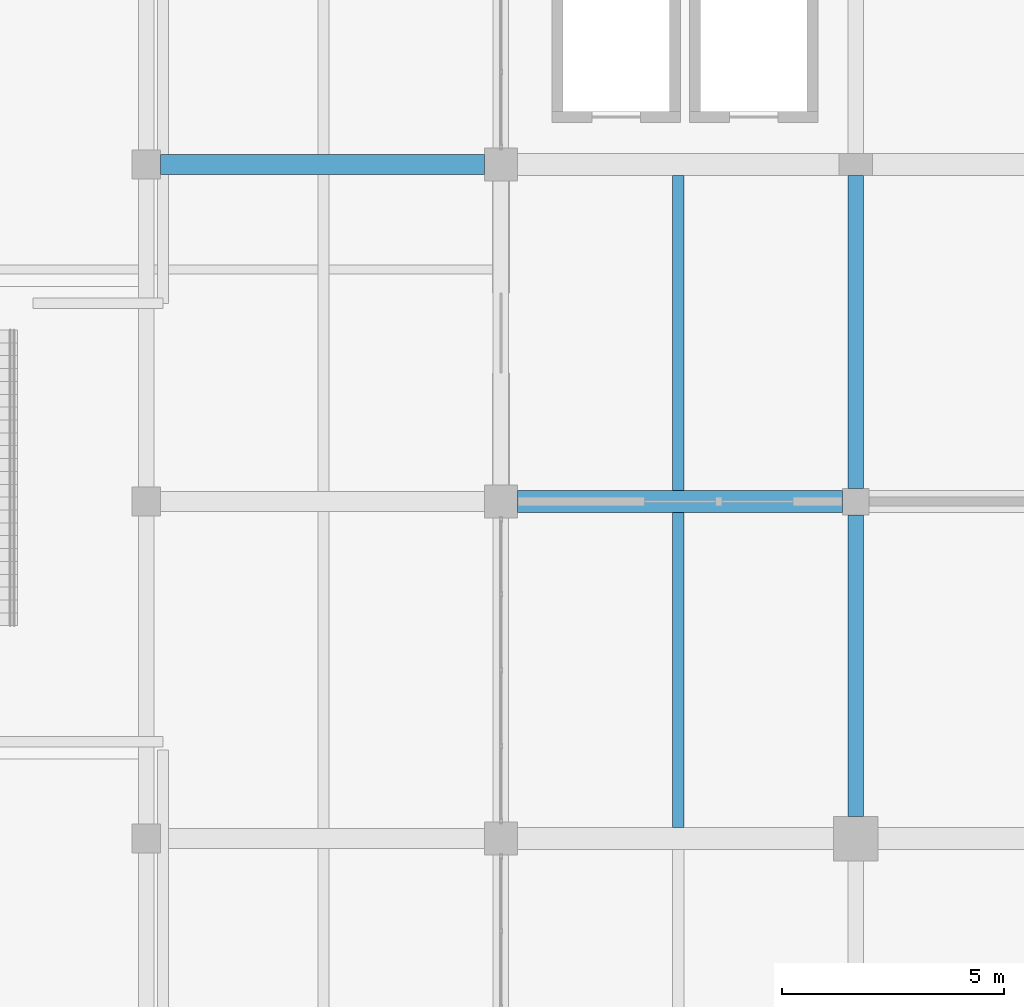
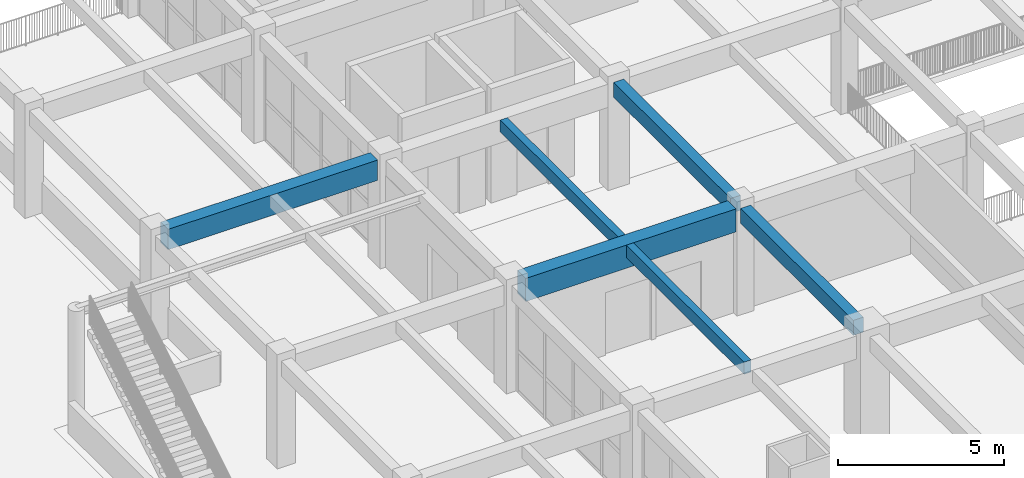
# One storey, part 8 of 63: 6 beams.
"""IFC4 building model written with IfcOpenShell, lengths in metres."""

from ifc_helpers import new_model, si_unit, direction, frame, origin, origin_2d, place, context, subcontext, project, spatial, rectangle, extrude, material, material_profile, profile_set, type_object, element, save


model = new_model("IFC4")

# Units and contexts
model_context = context("Model", 3, precision=1e-05, world=origin(), true_north=direction((0.0, 1.0)))
body_context = subcontext(model_context, "Body", "Model", "MODEL_VIEW")
ifc_project = project(units=[si_unit("LENGTHUNIT", "METRE"), si_unit("AREAUNIT", "SQUARE_METRE"), si_unit("VOLUMEUNIT", "CUBIC_METRE"), si_unit("PLANEANGLEUNIT", "RADIAN"), si_unit("MASSUNIT", "GRAM", prefix="KILO")], contexts=[model_context])

# Site, building, storey
site_placement = place(None, origin())
site = spatial("IfcSite", under=ifc_project, at=site_placement, CompositionType="ELEMENT")
building_placement = place(site_placement, origin())
building = spatial("IfcBuilding", under=site, at=building_placement, Name="Zantavel Square City Hall", CompositionType="ELEMENT")
storey_placement = place(building_placement, frame((0.0, 0.0, 14.699951171875)))
storey = spatial("IfcBuildingStorey", under=building, at=storey_placement, Name="L04", CompositionType="ELEMENT", Elevation=14.699951171875)

# Beams
ifc_material_1 = material(Name="Concrete C40/50", Category="concrete")
ifc_material_profile_1 = material_profile(ifc_material_1, rectangle(XDim=0.5, YDim=0.85009765625, at=origin_2d()), Name="RC 500x850")
ifc_profile_set_1 = profile_set([ifc_material_profile_1], Name="Concrete C40/50")
beam_type_1 = type_object("IfcBeamType", Name="Council Chamber Girder RC 500x850 C40/50", PredefinedType="BEAM", material=ifc_profile_set_1)
beam_1_placement = place(storey_placement, frame((64.375, 45.60009765625, 3.4951171875), z_axis=(1.0, 0.0, 0.0), x_axis=(0.0, 1.0, 0.0)))
element("IfcBeam", 1, at=beam_1_placement, inside=storey, type_object=beam_type_1, Name="L04 Girder BMX-L04-0640-0456", PredefinedType="BEAM", context=body_context, shape_type="SweptSolid", body=[
    extrude(rectangle(XDim=0.5, YDim=0.85009765625, at=origin_2d()), origin(), (0.0, 0.0, 1.0), 7.324951171875),
])
ifc_material_2 = material(Name="Concrete C35/45", Category="concrete")
ifc_material_profile_2 = material_profile(ifc_material_2, rectangle(XDim=0.25, YDim=0.449951171875, at=origin_2d()), Name="RC 250x450")
ifc_profile_set_2 = profile_set([ifc_material_profile_2], Name="Concrete C35/45")
beam_type_2 = type_object("IfcBeamType", Name="Light Floor Joist RC 250x450 C35/45", PredefinedType="JOIST", material=ifc_profile_set_2)
beam_2_placement = place(storey_placement, frame((68.0, 38.25, 3.695068359375), z_axis=(0.0, 1.0, 0.0), x_axis=(-1.0, 0.0, 0.0)))
element("IfcBeam", 2, at=beam_2_placement, inside=storey, type_object=beam_type_2, Name="L04 Floor Joist JST-L04-0680-0380", PredefinedType="JOIST", context=body_context, shape_type="SweptSolid", body=[
    extrude(rectangle(XDim=0.25, YDim=0.449951171875, at=origin_2d()), origin(), (0.0, 0.0, 1.0), 7.10009765625),
])
beam_3_placement = place(storey_placement, frame((68.0, 45.85009765625, 3.695068359375), z_axis=(0.0, 1.0, 0.0), x_axis=(-1.0, 0.0, 0.0)))
element("IfcBeam", 3, at=beam_3_placement, inside=storey, type_object=beam_type_2, Name="L04 Floor Joist JST-L04-0680-0456", PredefinedType="JOIST", context=body_context, shape_type="SweptSolid", body=[
    extrude(rectangle(XDim=0.25, YDim=0.449951171875, at=origin_2d()), origin(), (0.0, 0.0, 1.0), 7.099853515625),
])
ifc_material_profile_3 = material_profile(ifc_material_2, rectangle(XDim=0.449951171875, YDim=0.75, at=origin_2d()), Name="RC 450x750")
ifc_profile_set_3 = profile_set([ifc_material_profile_3], Name="Concrete C35/45")
beam_type_3 = type_object("IfcBeamType", Name="Primary Girder RC 450x750 C35/45", PredefinedType="BEAM", material=ifc_profile_set_3)
beam_4_placement = place(storey_placement, frame((56.324951171875, 53.199951171875, 3.545166015625), z_axis=(1.0, 0.0, 0.0), x_axis=(0.0, 1.0, 0.0)))
element("IfcBeam", 4, at=beam_4_placement, inside=storey, type_object=beam_type_3, Name="L04 Girder BMX-L04-0560-0532", PredefinedType="BEAM", context=body_context, shape_type="SweptSolid", body=[
    extrude(rectangle(XDim=0.449951171875, YDim=0.75, at=origin_2d()), origin(), (0.0, 0.0, 1.0), 7.300048828125),
])
ifc_material_profile_4 = material_profile(ifc_material_2, rectangle(XDim=0.35009765625, YDim=0.550048828125, at=origin_2d()), Name="RC 350x550")
ifc_profile_set_4 = profile_set([ifc_material_profile_4], Name="Concrete C35/45")
beam_type_4 = type_object("IfcBeamType", Name="Secondary Beam RC 350x550 C35/45", PredefinedType="BEAM", material=ifc_profile_set_4)
beam_5_placement = place(storey_placement, frame((72.0, 38.5, 3.64501953125), z_axis=(0.0, 1.0, 0.0), x_axis=(-1.0, 0.0, 0.0)))
element("IfcBeam", 5, at=beam_5_placement, inside=storey, type_object=beam_type_4, Name="L04 Beam BMY-L04-0720-0380", PredefinedType="BEAM", context=body_context, shape_type="SweptSolid", body=[
    extrude(rectangle(XDim=0.35009765625, YDim=0.550048828125, at=origin_2d()), origin(), (0.0, 0.0, 1.0), 6.800048828125),
])
beam_6_placement = place(storey_placement, frame((72.0, 45.89990234375, 3.64501953125), z_axis=(0.0, 1.0, 0.0), x_axis=(-1.0, 0.0, 0.0)))
element("IfcBeam", 6, at=beam_6_placement, inside=storey, type_object=beam_type_4, Name="L04 Beam BMY-L04-0720-0456", PredefinedType="BEAM", context=body_context, shape_type="SweptSolid", body=[
    extrude(rectangle(XDim=0.35009765625, YDim=0.550048828125, at=origin_2d()), origin(), (0.0, 0.0, 1.0), 7.050048828125),
])

save(model, "model.ifc")
